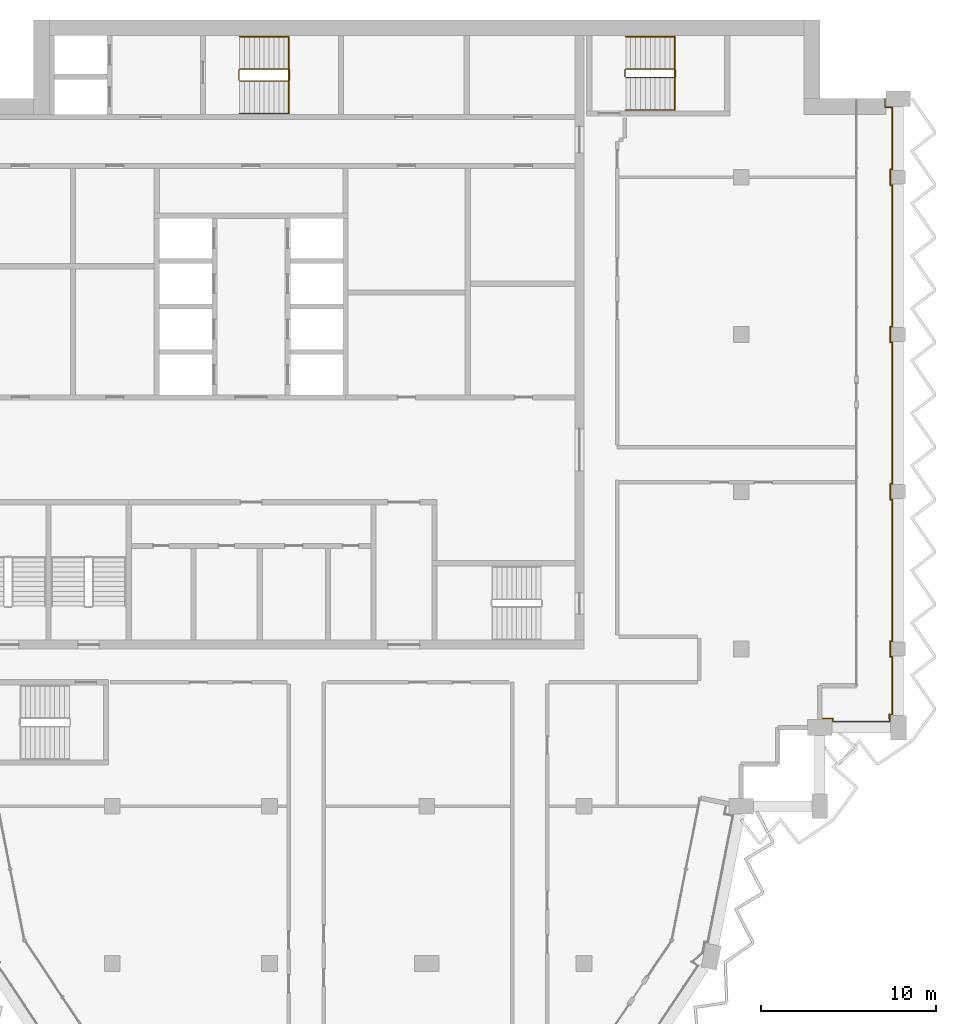
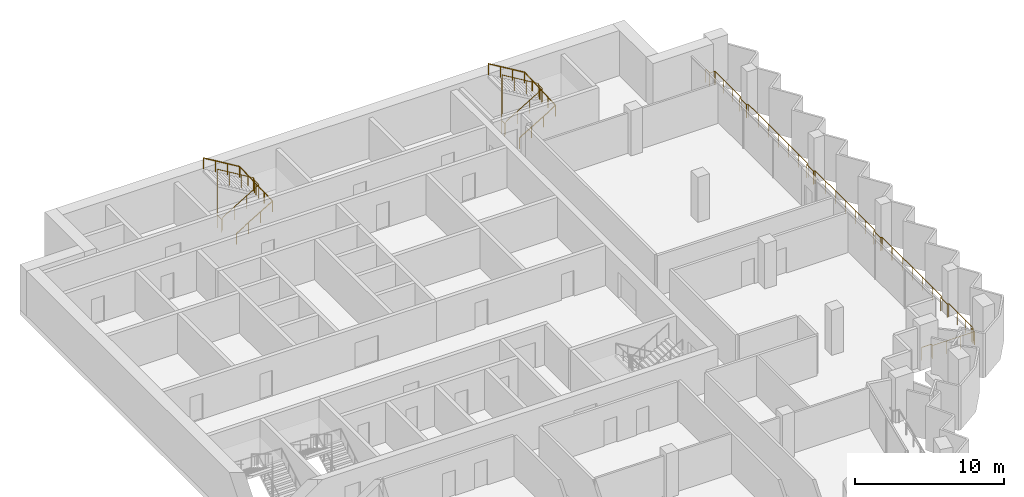
# One storey, part 14 of 14: 5 railings.
"""IFC4 building model written with IfcOpenShell, lengths in metres."""

from ifc_helpers import new_model, si_unit, direction, frame, origin, origin_2d, place, context, subcontext, project, spatial, circle, extrude, material, type_object, element, save


model = new_model("IFC4")

# Units and contexts
model_context = context("Model", 3, precision=1e-05, world=origin(), true_north=direction((0.0, 1.0)))
body_context = subcontext(model_context, "Body", "Model", "MODEL_VIEW")
ifc_project = project(units=[si_unit("LENGTHUNIT", "METRE"), si_unit("AREAUNIT", "SQUARE_METRE"), si_unit("VOLUMEUNIT", "CUBIC_METRE"), si_unit("PLANEANGLEUNIT", "RADIAN"), si_unit("MASSUNIT", "GRAM", prefix="KILO")], contexts=[model_context])

# Site, building, storey
site_placement = place(None, origin())
site = spatial("IfcSite", under=ifc_project, at=site_placement, CompositionType="ELEMENT")
building_placement = place(site_placement, origin())
building = spatial("IfcBuilding", under=site, at=building_placement, Name="Hunhe Ridgeline Campus", CompositionType="ELEMENT")
storey_placement = place(building_placement, frame((0.0, 0.0, 291.89990234375)))
storey = spatial("IfcBuildingStorey", under=building, at=storey_placement, Name="L75", CompositionType="ELEMENT", Elevation=291.89990234375)

# Railings
ifc_material_1 = material(Name="Steel Q355", Category="steel")
railing_type_1 = type_object("IfcRailingType", Name="Loggia guard 1100 Steel Q355", PredefinedType="GUARDRAIL", material=ifc_material_1)
railing_1_placement = place(storey_placement, frame((49.5, 59.02001953125, 0.0)))
element("IfcRailing", 1, at=railing_1_placement, inside=storey, type_object=railing_type_1, Name="Loggia guard 2", PredefinedType="GUARDRAIL", context=body_context, shape_type="SweptSolid", body=[
    extrude(circle(Radius=0.02392578125, at=origin_2d()), frame((0.0, 0.0, 1.076171875), z_axis=(1.0, 0.0, 0.0), x_axis=(0.0, 1.0, 0.0)), (0.0, 0.0, 1.0), 0.75),
    extrude(circle(Radius=0.02392578125, at=origin_2d()), frame((0.75, 0.0, 1.076171875), z_axis=(0.0, -1.0, 0.0), x_axis=(1.0, 0.0, 0.0)), (0.0, 0.0, 1.0), 0.169921875),
    extrude(circle(Radius=0.02392578125, at=origin_2d()), frame((0.75, -0.169921875, 1.076171875), z_axis=(1.0, 0.0, 0.0), x_axis=(0.0, 1.0, 0.0)), (0.0, 0.0, 1.0), 3.25),
    extrude(circle(Radius=0.02392578125, at=origin_2d()), frame((4.0, -0.169921875, 1.076171875), z_axis=(0.0, 1.0, 0.0), x_axis=(-1.0, 0.0, 0.0)), (0.0, 0.0, 1.0), 0.419921875),
    extrude(circle(Radius=0.02392578125, at=origin_2d()), frame((4.0, 0.25, 1.076171875), z_axis=(-0.079822602517, -0.996809085095, 0.0), x_axis=(0.996809085095, -0.079822602517, 0.0)), (0.0, 0.0, 1.0), 0.250732421875),
    extrude(circle(Radius=0.02392578125, at=origin_2d()), frame((3.97998046875, 0.0, 1.076171875), z_axis=(0.0, 1.0, 0.0), x_axis=(-1.0, 0.0, 0.0)), (0.0, 0.0, 1.0), 0.22998046875),
    extrude(circle(Radius=0.02392578125, at=origin_2d()), frame((3.97998046875, 0.22998046875, 1.076171875), z_axis=(1.0, 0.0, 0.0), x_axis=(0.0, 1.0, 0.0)), (0.0, 0.0, 1.0), 0.169921875),
    extrude(circle(Radius=0.02392578125, at=origin_2d()), frame((4.14990234375, 0.22998046875, 1.076171875), z_axis=(0.0, 1.0, 0.0), x_axis=(-1.0, 0.0, 0.0)), (0.0, 0.0, 1.0), 3.300048828125),
    extrude(circle(Radius=0.02392578125, at=origin_2d()), frame((4.14990234375, 3.530029296875, 1.076171875), z_axis=(-1.0, 0.0, 0.0), x_axis=(0.0, -1.0, 0.0)), (0.0, 0.0, 1.0), 0.119873046875),
    extrude(circle(Radius=0.02392578125, at=origin_2d()), frame((4.030029296875, 3.530029296875, 1.076171875), z_axis=(0.0, 1.0, 0.0), x_axis=(-1.0, 0.0, 0.0)), (0.0, 0.0, 1.0), 0.89990234375),
    extrude(circle(Radius=0.02392578125, at=origin_2d()), frame((4.030029296875, 4.429931640625, 1.076171875), z_axis=(1.0, 0.0, 0.0), x_axis=(0.0, 1.0, 0.0)), (0.0, 0.0, 1.0), 0.119873046875),
    extrude(circle(Radius=0.02392578125, at=origin_2d()), frame((4.14990234375, 4.429931640625, 1.076171875), z_axis=(0.0, 1.0, 0.0), x_axis=(-1.0, 0.0, 0.0)), (0.0, 0.0, 1.0), 8.10009765625),
    extrude(circle(Radius=0.02392578125, at=origin_2d()), frame((4.14990234375, 12.530029296875, 1.076171875), z_axis=(-1.0, 0.0, 0.0), x_axis=(0.0, -1.0, 0.0)), (0.0, 0.0, 1.0), 0.119873046875),
    extrude(circle(Radius=0.02392578125, at=origin_2d()), frame((4.030029296875, 12.530029296875, 1.076171875), z_axis=(0.0, 1.0, 0.0), x_axis=(-1.0, 0.0, 0.0)), (0.0, 0.0, 1.0), 0.89990234375),
    extrude(circle(Radius=0.02392578125, at=origin_2d()), frame((4.030029296875, 13.429931640625, 1.076171875), z_axis=(1.0, 0.0, 0.0), x_axis=(0.0, 1.0, 0.0)), (0.0, 0.0, 1.0), 0.119873046875),
    extrude(circle(Radius=0.02392578125, at=origin_2d()), frame((4.14990234375, 13.429931640625, 1.076171875), z_axis=(0.0, 1.0, 0.0), x_axis=(-1.0, 0.0, 0.0)), (0.0, 0.0, 1.0), 8.10009765625),
    extrude(circle(Radius=0.02392578125, at=origin_2d()), frame((4.14990234375, 21.530029296875, 1.076171875), z_axis=(-1.0, 0.0, 0.0), x_axis=(0.0, -1.0, 0.0)), (0.0, 0.0, 1.0), 0.119873046875),
    extrude(circle(Radius=0.02392578125, at=origin_2d()), frame((4.030029296875, 21.530029296875, 1.076171875), z_axis=(0.0, 1.0, 0.0), x_axis=(-1.0, 0.0, 0.0)), (0.0, 0.0, 1.0), 0.89990234375),
    extrude(circle(Radius=0.02392578125, at=origin_2d()), frame((4.030029296875, 22.429931640625, 1.076171875), z_axis=(1.0, 0.0, 0.0), x_axis=(0.0, 1.0, 0.0)), (0.0, 0.0, 1.0), 0.119873046875),
    extrude(circle(Radius=0.02392578125, at=origin_2d()), frame((4.14990234375, 22.429931640625, 1.076171875), z_axis=(0.0, 1.0, 0.0), x_axis=(-1.0, 0.0, 0.0)), (0.0, 0.0, 1.0), 8.10009765625),
    extrude(circle(Radius=0.02392578125, at=origin_2d()), frame((4.14990234375, 30.530029296875, 1.076171875), z_axis=(-1.0, 0.0, 0.0), x_axis=(0.0, -1.0, 0.0)), (0.0, 0.0, 1.0), 0.119873046875),
    extrude(circle(Radius=0.02392578125, at=origin_2d()), frame((4.030029296875, 30.530029296875, 1.076171875), z_axis=(0.0, 1.0, 0.0), x_axis=(-1.0, 0.0, 0.0)), (0.0, 0.0, 1.0), 0.89990234375),
    extrude(circle(Radius=0.02392578125, at=origin_2d()), frame((4.030029296875, 31.429931640625, 1.076171875), z_axis=(1.0, 0.0, 0.0), x_axis=(0.0, 1.0, 0.0)), (0.0, 0.0, 1.0), 0.119873046875),
    extrude(circle(Radius=0.02392578125, at=origin_2d()), frame((4.14990234375, 31.429931640625, 1.076171875), z_axis=(0.0, 1.0, 0.0), x_axis=(-1.0, 0.0, 0.0)), (0.0, 0.0, 1.0), 3.550048828125),
    extrude(circle(Radius=0.02392578125, at=origin_2d()), frame((4.14990234375, 34.97998046875, 1.076171875), z_axis=(-1.0, 0.0, 0.0), x_axis=(0.0, -1.0, 0.0)), (0.0, 0.0, 1.0), 0.419921875),
    extrude(circle(Radius=0.02392578125, at=origin_2d()), frame((3.72998046875, 34.97998046875, 1.076171875), z_axis=(0.0, 1.0, 0.0), x_axis=(-1.0, 0.0, 0.0)), (0.0, 0.0, 1.0), 0.5),
    extrude(circle(Radius=0.02099609375, at=origin_2d()), origin(), (0.0, 0.0, 1.0), 1.052001953125),
    extrude(circle(Radius=0.02099609375, at=origin_2d()), frame((0.75, 0.0, 0.0)), (0.0, 0.0, 1.0), 1.052001953125),
    extrude(circle(Radius=0.02099609375, at=origin_2d()), frame((0.75, -0.169921875, 0.0)), (0.0, 0.0, 1.0), 1.052001953125),
    extrude(circle(Radius=0.02099609375, at=origin_2d()), frame((1.833251953125, -0.169921875, 0.0)), (0.0, 0.0, 1.0), 1.052001953125),
    extrude(circle(Radius=0.02099609375, at=origin_2d()), frame((2.916748046875, -0.169921875, 0.0)), (0.0, 0.0, 1.0), 1.052001953125),
    extrude(circle(Radius=0.02099609375, at=origin_2d()), frame((4.0, -0.169921875, 0.0)), (0.0, 0.0, 1.0), 1.052001953125),
    extrude(circle(Radius=0.02099609375, at=origin_2d()), frame((4.0, 0.25, 0.0)), (0.0, 0.0, 1.0), 1.052001953125),
    extrude(circle(Radius=0.02099609375, at=origin_2d()), frame((3.97998046875, 0.0, 0.0)), (0.0, 0.0, 1.0), 1.052001953125),
    extrude(circle(Radius=0.02099609375, at=origin_2d()), frame((3.97998046875, 0.22998046875, 0.0)), (0.0, 0.0, 1.0), 1.052001953125),
    extrude(circle(Radius=0.02099609375, at=origin_2d()), frame((4.14990234375, 0.22998046875, 0.0)), (0.0, 0.0, 1.0), 1.052001953125),
    extrude(circle(Radius=0.02099609375, at=origin_2d()), frame((4.14990234375, 1.330078125, 0.0)), (0.0, 0.0, 1.0), 1.052001953125),
    extrude(circle(Radius=0.02099609375, at=origin_2d()), frame((4.14990234375, 2.429931640625, 0.0)), (0.0, 0.0, 1.0), 1.052001953125),
    extrude(circle(Radius=0.02099609375, at=origin_2d()), frame((4.14990234375, 3.530029296875, 0.0)), (0.0, 0.0, 1.0), 1.052001953125),
    extrude(circle(Radius=0.02099609375, at=origin_2d()), frame((4.030029296875, 3.530029296875, 0.0)), (0.0, 0.0, 1.0), 1.052001953125),
    extrude(circle(Radius=0.02099609375, at=origin_2d()), frame((4.030029296875, 4.429931640625, 0.0)), (0.0, 0.0, 1.0), 1.052001953125),
    extrude(circle(Radius=0.02099609375, at=origin_2d()), frame((4.14990234375, 4.429931640625, 0.0)), (0.0, 0.0, 1.0), 1.052001953125),
    extrude(circle(Radius=0.02099609375, at=origin_2d()), frame((4.14990234375, 5.780029296875, 0.0)), (0.0, 0.0, 1.0), 1.052001953125),
    extrude(circle(Radius=0.02099609375, at=origin_2d()), frame((4.14990234375, 7.1298828125, 0.0)), (0.0, 0.0, 1.0), 1.052001953125),
    extrude(circle(Radius=0.02099609375, at=origin_2d()), frame((4.14990234375, 8.47998046875, 0.0)), (0.0, 0.0, 1.0), 1.052001953125),
    extrude(circle(Radius=0.02099609375, at=origin_2d()), frame((4.14990234375, 9.830078125, 0.0)), (0.0, 0.0, 1.0), 1.052001953125),
    extrude(circle(Radius=0.02099609375, at=origin_2d()), frame((4.14990234375, 11.179931640625, 0.0)), (0.0, 0.0, 1.0), 1.052001953125),
    extrude(circle(Radius=0.02099609375, at=origin_2d()), frame((4.14990234375, 12.530029296875, 0.0)), (0.0, 0.0, 1.0), 1.052001953125),
    extrude(circle(Radius=0.02099609375, at=origin_2d()), frame((4.030029296875, 12.530029296875, 0.0)), (0.0, 0.0, 1.0), 1.052001953125),
    extrude(circle(Radius=0.02099609375, at=origin_2d()), frame((4.030029296875, 13.429931640625, 0.0)), (0.0, 0.0, 1.0), 1.052001953125),
    extrude(circle(Radius=0.02099609375, at=origin_2d()), frame((4.14990234375, 13.429931640625, 0.0)), (0.0, 0.0, 1.0), 1.052001953125),
    extrude(circle(Radius=0.02099609375, at=origin_2d()), frame((4.14990234375, 14.780029296875, 0.0)), (0.0, 0.0, 1.0), 1.052001953125),
    extrude(circle(Radius=0.02099609375, at=origin_2d()), frame((4.14990234375, 16.1298828125, 0.0)), (0.0, 0.0, 1.0), 1.052001953125),
    extrude(circle(Radius=0.02099609375, at=origin_2d()), frame((4.14990234375, 17.47998046875, 0.0)), (0.0, 0.0, 1.0), 1.052001953125),
    extrude(circle(Radius=0.02099609375, at=origin_2d()), frame((4.14990234375, 18.830078125, 0.0)), (0.0, 0.0, 1.0), 1.052001953125),
    extrude(circle(Radius=0.02099609375, at=origin_2d()), frame((4.14990234375, 20.179931640625, 0.0)), (0.0, 0.0, 1.0), 1.052001953125),
    extrude(circle(Radius=0.02099609375, at=origin_2d()), frame((4.14990234375, 21.530029296875, 0.0)), (0.0, 0.0, 1.0), 1.052001953125),
    extrude(circle(Radius=0.02099609375, at=origin_2d()), frame((4.030029296875, 21.530029296875, 0.0)), (0.0, 0.0, 1.0), 1.052001953125),
    extrude(circle(Radius=0.02099609375, at=origin_2d()), frame((4.030029296875, 22.429931640625, 0.0)), (0.0, 0.0, 1.0), 1.052001953125),
    extrude(circle(Radius=0.02099609375, at=origin_2d()), frame((4.14990234375, 22.429931640625, 0.0)), (0.0, 0.0, 1.0), 1.052001953125),
    extrude(circle(Radius=0.02099609375, at=origin_2d()), frame((4.14990234375, 23.780029296875, 0.0)), (0.0, 0.0, 1.0), 1.052001953125),
    extrude(circle(Radius=0.02099609375, at=origin_2d()), frame((4.14990234375, 25.1298828125, 0.0)), (0.0, 0.0, 1.0), 1.052001953125),
    extrude(circle(Radius=0.02099609375, at=origin_2d()), frame((4.14990234375, 26.47998046875, 0.0)), (0.0, 0.0, 1.0), 1.052001953125),
    extrude(circle(Radius=0.02099609375, at=origin_2d()), frame((4.14990234375, 27.830078125, 0.0)), (0.0, 0.0, 1.0), 1.052001953125),
    extrude(circle(Radius=0.02099609375, at=origin_2d()), frame((4.14990234375, 29.179931640625, 0.0)), (0.0, 0.0, 1.0), 1.052001953125),
    extrude(circle(Radius=0.02099609375, at=origin_2d()), frame((4.14990234375, 30.530029296875, 0.0)), (0.0, 0.0, 1.0), 1.052001953125),
    extrude(circle(Radius=0.02099609375, at=origin_2d()), frame((4.030029296875, 30.530029296875, 0.0)), (0.0, 0.0, 1.0), 1.052001953125),
    extrude(circle(Radius=0.02099609375, at=origin_2d()), frame((4.030029296875, 31.429931640625, 0.0)), (0.0, 0.0, 1.0), 1.052001953125),
    extrude(circle(Radius=0.02099609375, at=origin_2d()), frame((4.14990234375, 31.429931640625, 0.0)), (0.0, 0.0, 1.0), 1.052001953125),
    extrude(circle(Radius=0.02099609375, at=origin_2d()), frame((4.14990234375, 32.61328125, 0.0)), (0.0, 0.0, 1.0), 1.052001953125),
    extrude(circle(Radius=0.02099609375, at=origin_2d()), frame((4.14990234375, 33.796630859375, 0.0)), (0.0, 0.0, 1.0), 1.052001953125),
    extrude(circle(Radius=0.02099609375, at=origin_2d()), frame((4.14990234375, 34.97998046875, 0.0)), (0.0, 0.0, 1.0), 1.052001953125),
    extrude(circle(Radius=0.02099609375, at=origin_2d()), frame((3.72998046875, 34.97998046875, 0.0)), (0.0, 0.0, 1.0), 1.052001953125),
    extrude(circle(Radius=0.02099609375, at=origin_2d()), frame((3.72998046875, 35.47998046875, 0.0)), (0.0, 0.0, 1.0), 1.052001953125),
])
ifc_material_2 = material(Name="Stainless steel balustrade", Category="steel")
railing_type_2 = type_object("IfcRailingType", Name="Stair guard 1100 stainless", PredefinedType="GUARDRAIL", material=ifc_material_2)
railing_2_placement = place(storey_placement, frame((16.300048828125, 95.5, 0.168212890625)))
element("IfcRailing", 2, at=railing_2_placement, inside=storey, type_object=railing_type_2, Name="L75 stair S1 guard", PredefinedType="GUARDRAIL", context=body_context, shape_type="SweptSolid", body=[
    extrude(circle(Radius=0.02392578125, at=origin_2d()), frame((0.0, 0.0, 1.076171875), z_axis=(0.857242210791, 0.0, 0.514913383045), x_axis=(0.0, 1.0, 0.0)), (0.0, 0.0, 1.0), 3.266357421875),
    extrude(circle(Radius=0.02392578125, at=origin_2d()), frame((2.800048828125, 0.0, 2.7578125), z_axis=(0.705375805398, 0.708833529934, 0.0), x_axis=(-0.708833529934, 0.705375805398, 0.0)), (0.0, 0.0, 1.0), 0.070556640625),
    extrude(circle(Radius=0.02392578125, at=origin_2d()), frame((2.849853515625, 0.050048828125, 2.7578125), z_axis=(0.0, 1.0, 0.0), x_axis=(-1.0, 0.0, 0.0)), (0.0, 0.0, 1.0), 0.599853515625),
    extrude(circle(Radius=0.02392578125, at=origin_2d()), frame((2.849853515625, 0.64990234375, 2.7578125), z_axis=(-0.273006030465, 0.27434429532, 0.922064485248), x_axis=(-0.708833529934, -0.705375805398, 0.0)), (0.0, 0.0, 1.0), 0.182373046875),
    extrude(circle(Radius=0.02392578125, at=origin_2d()), frame((2.800048828125, 0.699951171875, 2.92626953125), z_axis=(-0.857242210791, 0.0, 0.514913383045), x_axis=(0.0, -1.0, 0.0)), (0.0, 0.0, 1.0), 3.266357421875),
    extrude(circle(Radius=0.02392578125, at=origin_2d()), frame((0.0, 0.699951171875, 4.60791015625), z_axis=(-0.013523522368, -0.013523522368, -0.999817097616), x_axis=(0.707106781187, -0.707106781187, 0.0)), (0.0, 0.0, 1.0), 3.700927734375),
    extrude(circle(Radius=0.02392578125, at=origin_2d()), frame((-0.050048828125, 0.64990234375, 0.90771484375), z_axis=(0.0, -1.0, 0.0), x_axis=(1.0, 0.0, 0.0)), (0.0, 0.0, 1.0), 0.599853515625),
    extrude(circle(Radius=0.02099609375, at=origin_2d()), origin(), (0.0, 0.0, 1.0), 1.052001953125),
    extrude(circle(Radius=0.02099609375, at=origin_2d()), frame((0.933349609375, 0.0, 0.560546875)), (0.0, 0.0, 1.0), 1.052001953125),
    extrude(circle(Radius=0.02099609375, at=origin_2d()), frame((1.86669921875, 0.0, 1.121337890625)), (0.0, 0.0, 1.0), 1.052001953125),
    extrude(circle(Radius=0.02099609375, at=origin_2d()), frame((2.800048828125, 0.0, 1.681884765625)), (0.0, 0.0, 1.0), 1.052001953125),
    extrude(circle(Radius=0.02099609375, at=origin_2d()), frame((2.849853515625, 0.050048828125, 1.681884765625)), (0.0, 0.0, 1.0), 1.052001953125),
    extrude(circle(Radius=0.02099609375, at=origin_2d()), frame((2.849853515625, 0.64990234375, 1.681884765625)), (0.0, 0.0, 1.0), 1.052001953125),
    extrude(circle(Radius=0.02099609375, at=origin_2d()), frame((2.800048828125, 0.699951171875, 1.85009765625)), (0.0, 0.0, 1.0), 1.052001953125),
    extrude(circle(Radius=0.02099609375, at=origin_2d()), frame((1.86669921875, 0.699951171875, 2.41064453125)), (0.0, 0.0, 1.0), 1.052001953125),
    extrude(circle(Radius=0.02099609375, at=origin_2d()), frame((0.933349609375, 0.699951171875, 2.971435546875)), (0.0, 0.0, 1.0), 1.052001953125),
    extrude(circle(Radius=0.02099609375, at=origin_2d()), frame((0.0, 0.699951171875, 3.531982421875)), (0.0, 0.0, 1.0), 1.052001953125),
    extrude(circle(Radius=0.02099609375, at=origin_2d()), frame((-0.012451171875, 0.6875, 2.60693359375)), (0.0, 0.0, 1.0), 1.052001953125),
    extrude(circle(Radius=0.02099609375, at=origin_2d()), frame((-0.02490234375, 0.6748046875, 1.681884765625)), (0.0, 0.0, 1.0), 1.052001953125),
    extrude(circle(Radius=0.02099609375, at=origin_2d()), frame((-0.03759765625, 0.662353515625, 0.7568359375)), (0.0, 0.0, 1.0), 1.052001953125),
    extrude(circle(Radius=0.02099609375, at=origin_2d()), frame((-0.050048828125, 0.64990234375, -0.168212890625)), (0.0, 0.0, 1.0), 1.052001953125),
    extrude(circle(Radius=0.02099609375, at=origin_2d()), frame((-0.050048828125, 0.050048828125, -0.168212890625)), (0.0, 0.0, 1.0), 1.052001953125),
])
railing_3_placement = place(storey_placement, frame((38.39990234375, 95.699951171875, 0.168212890625)))
element("IfcRailing", 3, at=railing_3_placement, inside=storey, type_object=railing_type_2, Name="L75 stair E1 guard", PredefinedType="GUARDRAIL", context=body_context, shape_type="SweptSolid", body=[
    extrude(circle(Radius=0.02392578125, at=origin_2d()), frame((0.0, 0.0, 1.076171875), z_axis=(0.857242210791, 0.0, 0.514913383045), x_axis=(0.0, 1.0, 0.0)), (0.0, 0.0, 1.0), 3.266357421875),
    extrude(circle(Radius=0.02392578125, at=origin_2d()), frame((2.800048828125, 0.0, 2.7578125), z_axis=(0.707106781187, 0.707106781187, 0.0), x_axis=(-0.707106781187, 0.707106781187, 0.0)), (0.0, 0.0, 1.0), 0.07080078125),
    extrude(circle(Radius=0.02392578125, at=origin_2d()), frame((2.85009765625, 0.050048828125, 2.7578125), z_axis=(0.0, 1.0, 0.0), x_axis=(-1.0, 0.0, 0.0)), (0.0, 0.0, 1.0), 0.39990234375),
    extrude(circle(Radius=0.02392578125, at=origin_2d()), frame((2.85009765625, 0.449951171875, 2.7578125), z_axis=(-0.274243871929, 0.274243871929, 0.92172696468), x_axis=(-0.707106781187, -0.707106781187, 0.0)), (0.0, 0.0, 1.0), 0.1826171875),
    extrude(circle(Radius=0.02392578125, at=origin_2d()), frame((2.800048828125, 0.5, 2.92626953125), z_axis=(-0.857242210791, 0.0, 0.514913383045), x_axis=(0.0, -1.0, 0.0)), (0.0, 0.0, 1.0), 3.266357421875),
    extrude(circle(Radius=0.02392578125, at=origin_2d()), frame((0.0, 0.5, 4.60791015625), z_axis=(-0.013457565943, -0.013523534403, -0.999817987404), x_axis=(0.708833529934, -0.705375805398, 0.0)), (0.0, 0.0, 1.0), 3.700927734375),
    extrude(circle(Radius=0.02392578125, at=origin_2d()), frame((-0.0498046875, 0.449951171875, 0.90771484375), z_axis=(0.0, -1.0, 0.0), x_axis=(1.0, 0.0, 0.0)), (0.0, 0.0, 1.0), 0.39990234375),
    extrude(circle(Radius=0.02099609375, at=origin_2d()), origin(), (0.0, 0.0, 1.0), 1.052001953125),
    extrude(circle(Radius=0.02099609375, at=origin_2d()), frame((0.933349609375, 0.0, 0.560546875)), (0.0, 0.0, 1.0), 1.052001953125),
    extrude(circle(Radius=0.02099609375, at=origin_2d()), frame((1.86669921875, 0.0, 1.121337890625)), (0.0, 0.0, 1.0), 1.052001953125),
    extrude(circle(Radius=0.02099609375, at=origin_2d()), frame((2.800048828125, 0.0, 1.681884765625)), (0.0, 0.0, 1.0), 1.052001953125),
    extrude(circle(Radius=0.02099609375, at=origin_2d()), frame((2.85009765625, 0.050048828125, 1.681884765625)), (0.0, 0.0, 1.0), 1.052001953125),
    extrude(circle(Radius=0.02099609375, at=origin_2d()), frame((2.85009765625, 0.449951171875, 1.681884765625)), (0.0, 0.0, 1.0), 1.052001953125),
    extrude(circle(Radius=0.02099609375, at=origin_2d()), frame((2.800048828125, 0.5, 1.85009765625)), (0.0, 0.0, 1.0), 1.052001953125),
    extrude(circle(Radius=0.02099609375, at=origin_2d()), frame((1.86669921875, 0.5, 2.41064453125)), (0.0, 0.0, 1.0), 1.052001953125),
    extrude(circle(Radius=0.02099609375, at=origin_2d()), frame((0.933349609375, 0.5, 2.971435546875)), (0.0, 0.0, 1.0), 1.052001953125),
    extrude(circle(Radius=0.02099609375, at=origin_2d()), frame((0.0, 0.5, 3.531982421875)), (0.0, 0.0, 1.0), 1.052001953125),
    extrude(circle(Radius=0.02099609375, at=origin_2d()), frame((-0.012451171875, 0.487548828125, 2.60693359375)), (0.0, 0.0, 1.0), 1.052001953125),
    extrude(circle(Radius=0.02099609375, at=origin_2d()), frame((-0.02490234375, 0.47509765625, 1.681884765625)), (0.0, 0.0, 1.0), 1.052001953125),
    extrude(circle(Radius=0.02099609375, at=origin_2d()), frame((-0.037353515625, 0.46240234375, 0.7568359375)), (0.0, 0.0, 1.0), 1.052001953125),
    extrude(circle(Radius=0.02099609375, at=origin_2d()), frame((-0.0498046875, 0.449951171875, -0.168212890625)), (0.0, 0.0, 1.0), 1.052001953125),
    extrude(circle(Radius=0.02099609375, at=origin_2d()), frame((-0.0498046875, 0.050048828125, -0.168212890625)), (0.0, 0.0, 1.0), 1.052001953125),
])
ifc_material_3 = material(Name="Stainless steel handrail", Category="steel")
railing_type_3 = type_object("IfcRailingType", Name="Stair handrail 900 stainless", PredefinedType="HANDRAIL", material=ifc_material_3)
railing_4_placement = place(storey_placement, frame((16.300048828125, 93.64990234375, 0.168212890625)))
element("IfcRailing", 4, at=railing_4_placement, inside=storey, type_object=railing_type_3, Name="L75 stair S1 handrail", PredefinedType="HANDRAIL", context=body_context, shape_type="SweptSolid", body=[
    extrude(circle(Radius=0.02392578125, at=origin_2d()), frame((0.0, 0.0, 0.8759765625), z_axis=(0.857242210791, 0.0, 0.514913383045), x_axis=(0.0, 1.0, 0.0)), (0.0, 0.0, 1.0), 3.266357421875),
    extrude(circle(Radius=0.02392578125, at=origin_2d()), frame((2.800048828125, 0.0, 2.5576171875), z_axis=(0.0, 0.999270074432, 0.038201025428), x_axis=(-1.0, 0.0, 0.0)), (0.0, 0.0, 1.0), 4.4033203125),
    extrude(circle(Radius=0.02392578125, at=origin_2d()), frame((2.800048828125, 4.400146484375, 2.72607421875), z_axis=(-0.857242210791, 0.0, 0.514913383045), x_axis=(0.0, -1.0, 0.0)), (0.0, 0.0, 1.0), 3.266357421875),
    extrude(circle(Radius=0.02099609375, at=origin_2d()), origin(), (0.0, 0.0, 1.0), 0.851806640625),
    extrude(circle(Radius=0.02099609375, at=origin_2d()), frame((0.933349609375, 0.0, 0.560546875)), (0.0, 0.0, 1.0), 0.851806640625),
    extrude(circle(Radius=0.02099609375, at=origin_2d()), frame((1.86669921875, 0.0, 1.121337890625)), (0.0, 0.0, 1.0), 0.851806640625),
    extrude(circle(Radius=0.02099609375, at=origin_2d()), frame((2.800048828125, 0.0, 1.681884765625)), (0.0, 0.0, 1.0), 0.851806640625),
    extrude(circle(Radius=0.02099609375, at=origin_2d()), frame((2.800048828125, 1.10009765625, 1.723876953125)), (0.0, 0.0, 1.0), 0.851806640625),
    extrude(circle(Radius=0.02099609375, at=origin_2d()), frame((2.800048828125, 2.2001953125, 1.76611328125)), (0.0, 0.0, 1.0), 0.851806640625),
    extrude(circle(Radius=0.02099609375, at=origin_2d()), frame((2.800048828125, 3.300048828125, 1.80810546875)), (0.0, 0.0, 1.0), 0.851806640625),
    extrude(circle(Radius=0.02099609375, at=origin_2d()), frame((2.800048828125, 4.400146484375, 1.85009765625)), (0.0, 0.0, 1.0), 0.851806640625),
    extrude(circle(Radius=0.02099609375, at=origin_2d()), frame((1.86669921875, 4.400146484375, 2.41064453125)), (0.0, 0.0, 1.0), 0.851806640625),
    extrude(circle(Radius=0.02099609375, at=origin_2d()), frame((0.933349609375, 4.400146484375, 2.971435546875)), (0.0, 0.0, 1.0), 0.851806640625),
    extrude(circle(Radius=0.02099609375, at=origin_2d()), frame((0.0, 4.400146484375, 3.531982421875)), (0.0, 0.0, 1.0), 0.851806640625),
])
railing_5_placement = place(storey_placement, frame((38.39990234375, 93.85009765625, 0.168212890625)))
element("IfcRailing", 5, at=railing_5_placement, inside=storey, type_object=railing_type_3, Name="L75 stair E1 handrail", PredefinedType="HANDRAIL", context=body_context, shape_type="SweptSolid", body=[
    extrude(circle(Radius=0.02392578125, at=origin_2d()), frame((0.0, 0.0, 0.8759765625), z_axis=(0.857242210791, 0.0, 0.514913383045), x_axis=(0.0, 1.0, 0.0)), (0.0, 0.0, 1.0), 3.266357421875),
    extrude(circle(Radius=0.02392578125, at=origin_2d()), frame((2.800048828125, 0.0, 2.5576171875), z_axis=(0.0, 0.999198916169, 0.040019069537), x_axis=(-1.0, 0.0, 0.0)), (0.0, 0.0, 1.0), 4.203369140625),
    extrude(circle(Radius=0.02392578125, at=origin_2d()), frame((2.800048828125, 4.199951171875, 2.72607421875), z_axis=(-0.857242210791, 0.0, 0.514913383045), x_axis=(0.0, -1.0, 0.0)), (0.0, 0.0, 1.0), 3.266357421875),
    extrude(circle(Radius=0.02099609375, at=origin_2d()), origin(), (0.0, 0.0, 1.0), 0.851806640625),
    extrude(circle(Radius=0.02099609375, at=origin_2d()), frame((0.933349609375, 0.0, 0.560546875)), (0.0, 0.0, 1.0), 0.851806640625),
    extrude(circle(Radius=0.02099609375, at=origin_2d()), frame((1.86669921875, 0.0, 1.121337890625)), (0.0, 0.0, 1.0), 0.851806640625),
    extrude(circle(Radius=0.02099609375, at=origin_2d()), frame((2.800048828125, 0.0, 1.681884765625)), (0.0, 0.0, 1.0), 0.851806640625),
    extrude(circle(Radius=0.02099609375, at=origin_2d()), frame((2.800048828125, 1.050048828125, 1.723876953125)), (0.0, 0.0, 1.0), 0.851806640625),
    extrude(circle(Radius=0.02099609375, at=origin_2d()), frame((2.800048828125, 2.10009765625, 1.76611328125)), (0.0, 0.0, 1.0), 0.851806640625),
    extrude(circle(Radius=0.02099609375, at=origin_2d()), frame((2.800048828125, 3.14990234375, 1.80810546875)), (0.0, 0.0, 1.0), 0.851806640625),
    extrude(circle(Radius=0.02099609375, at=origin_2d()), frame((2.800048828125, 4.199951171875, 1.85009765625)), (0.0, 0.0, 1.0), 0.851806640625),
    extrude(circle(Radius=0.02099609375, at=origin_2d()), frame((1.86669921875, 4.199951171875, 2.41064453125)), (0.0, 0.0, 1.0), 0.851806640625),
    extrude(circle(Radius=0.02099609375, at=origin_2d()), frame((0.933349609375, 4.199951171875, 2.971435546875)), (0.0, 0.0, 1.0), 0.851806640625),
    extrude(circle(Radius=0.02099609375, at=origin_2d()), frame((0.0, 4.199951171875, 3.531982421875)), (0.0, 0.0, 1.0), 0.851806640625),
])

save(model, "model.ifc")
